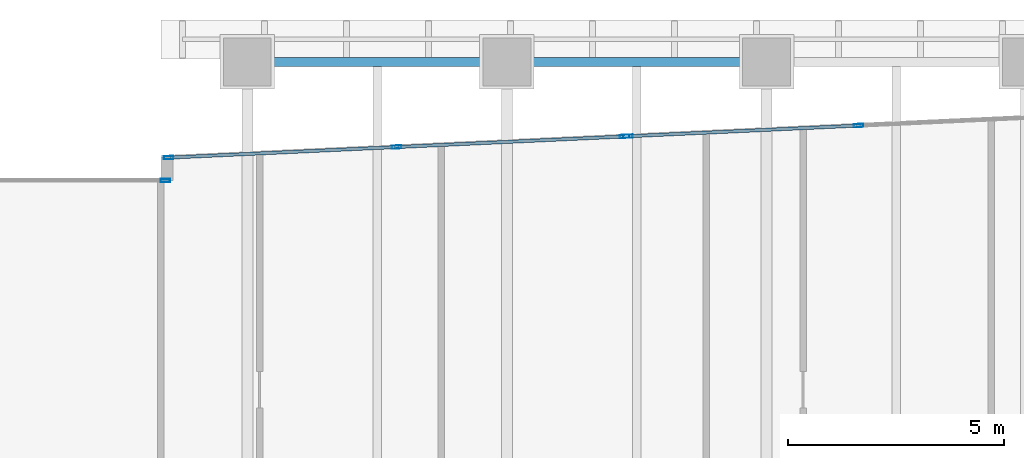
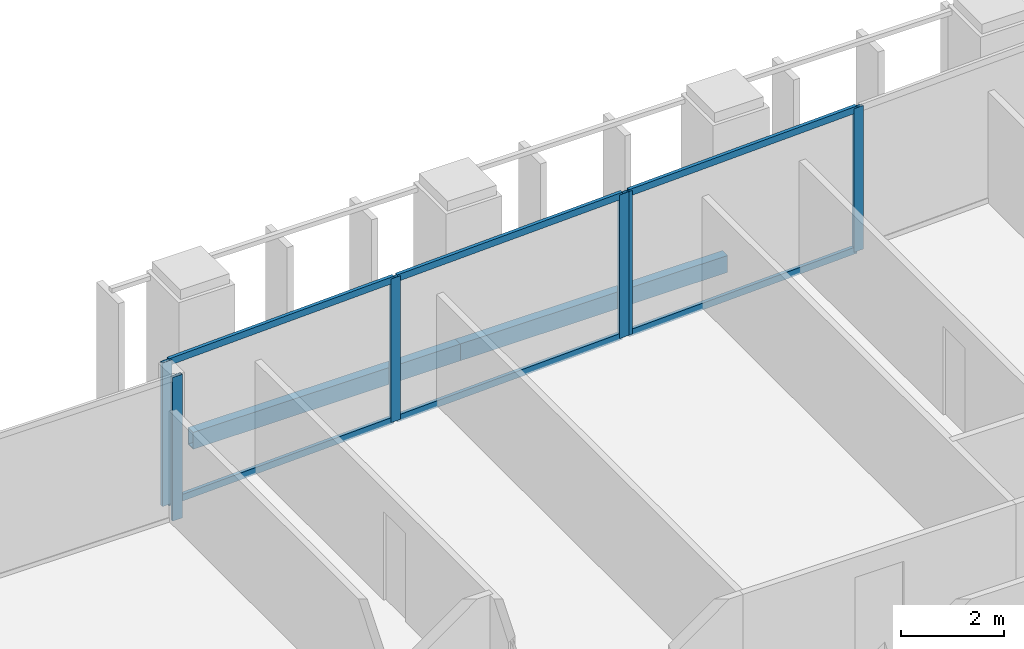
# One storey, part 12 of 32: 12 members, 2 beams, 3 elements without a shape of their own.
"""IFC4 building model written with IfcOpenShell, lengths in metres."""

from ifc_helpers import new_model, si_unit, direction, frame, origin, origin_2d, place, context, subcontext, project, spatial, hollow_rectangle, extrude, material, layer, layer_set, material_profile, profile_set, type_object, element, aggregate, save


model = new_model("IFC4")

# Units and contexts
model_context = context("Model", 3, precision=1e-05, world=origin(), true_north=direction((0.0, 1.0)))
body_context = subcontext(model_context, "Body", "Model", "MODEL_VIEW")
ifc_project = project(units=[si_unit("LENGTHUNIT", "METRE"), si_unit("AREAUNIT", "SQUARE_METRE"), si_unit("VOLUMEUNIT", "CUBIC_METRE"), si_unit("PLANEANGLEUNIT", "RADIAN"), si_unit("MASSUNIT", "GRAM", prefix="KILO")], contexts=[model_context])

# Site, building, storey
site_placement = place(None, origin())
site = spatial("IfcSite", under=ifc_project, at=site_placement, CompositionType="ELEMENT")
building_placement = place(site_placement, origin())
building = spatial("IfcBuilding", under=site, at=building_placement, Name="Tanjung Sevakor Pilgrim Tower", CompositionType="ELEMENT")
storey_placement = place(building_placement, frame((0.0, 0.0, 62.3701171875)))
storey = spatial("IfcBuildingStorey", under=building, at=storey_placement, Name="L17", CompositionType="ELEMENT", Elevation=62.3701171875)

# Beams
ifc_material_1 = material(Name="Steel S355J2", Category="steel")
ifc_material_profile_1 = material_profile(ifc_material_1, hollow_rectangle(XDim=0.199951171875, YDim=0.39990234375, WallThickness=0.01611328125, at=origin_2d()))
ifc_profile_set_1 = profile_set([ifc_material_profile_1], Name="Steel S355J2")
beam_type = type_object("IfcBeamType", Name="BM-B-SP2-RHS_400x200x16", PredefinedType="SPANDREL", material=ifc_profile_set_1)
for number, where, z_axis, x_axis, name in (
    (1, (54.0, 58.800048828125, -0.420166015625), (1.0, 0.0, 0.0), (0.0, 1.0, 0.0), "L17 Spandrel MAIN N-08"),
    (2, (60.0, 58.800048828125, -0.420166015625), (1.0, 0.0, 0.0), (0.0, 1.0, 0.0), "L17 Spandrel MAIN N-10"),
):
    element("IfcBeam", number, at=place(storey_placement, frame(where, z_axis=z_axis, x_axis=x_axis)), inside=storey, type_object=beam_type, Name=name, PredefinedType="SPANDREL", context=body_context, shape_type="SweptSolid", body=[
        extrude(hollow_rectangle(XDim=0.199951171875, YDim=0.39990234375, WallThickness=0.01611328125, at=origin_2d()), origin(), (0.0, 0.0, 1.0), 6.0),
    ])

# Curtain wall, members
ifc_material_2 = material(Name="Aluminium 6063-T6 and Low-E Glass", Category="aluminium")
ifc_layer_1 = layer(ifc_material_2, 0.199951171875)
ifc_layer_set_1 = layer_set([ifc_layer_1], Name="CW-SYS-PRAY")
curtain_wall_type_1 = type_object("IfcCurtainWallType", Name="CW-SYS-PRAY", PredefinedType="NOTDEFINED", material=ifc_layer_set_1)
curtain_wall_1_placement = place(storey_placement, origin())
curtain_wall_1 = element("IfcCurtainWall", 3, at=curtain_wall_1_placement, inside=storey, type_object=curtain_wall_type_1, Name="L17 Curtain Wall CW-PRY-L17-22", PredefinedType="NOTDEFINED")
ifc_material_3 = material(Name="Aluminium 6063-T6", Category="aluminium")
ifc_material_profile_2 = material_profile(ifc_material_3, hollow_rectangle(XDim=0.074951171875, YDim=0.219970703125, WallThickness=0.0048828125, at=origin_2d()))
ifc_profile_set_2 = profile_set([ifc_material_profile_2], Name="Aluminium 6063-T6")
member_type_1 = type_object("IfcMemberType", Name="TYPE-CWM-2", PredefinedType="MULLION", material=ifc_profile_set_2)
member_1_placement = place(storey_placement, frame((68.128173828125, 57.330078125, 0.0), z_axis=(0.0, 0.0, 1.0), x_axis=(0.046452337274, -0.998920507529, 0.0)))
member_1 = element("IfcMember", 4, at=member_1_placement, type_object=member_type_1, Name="CW-PRY mullion 2", PredefinedType="MULLION", context=body_context, shape_type="SweptSolid", body=[
    extrude(hollow_rectangle(XDim=0.074951171875, YDim=0.219970703125, WallThickness=0.0048828125, at=origin_2d()), origin(), (0.0, 0.0, 1.0), 3.409912109375),
])
member_2_placement = place(storey_placement, frame((62.7939453125, 57.08203125, 0.0), z_axis=(0.0, 0.0, 1.0), x_axis=(0.046452337274, -0.998920507529, 0.0)))
member_2 = element("IfcMember", 5, at=member_2_placement, type_object=member_type_1, Name="CW-PRY mullion 3", PredefinedType="MULLION", context=body_context, shape_type="SweptSolid", body=[
    extrude(hollow_rectangle(XDim=0.074951171875, YDim=0.219970703125, WallThickness=0.0048828125, at=origin_2d()), origin(), (0.0, 0.0, 1.0), 3.409912109375),
])

curtain_wall_2_placement = place(storey_placement, origin())
curtain_wall_2 = element("IfcCurtainWall", 6, at=curtain_wall_2_placement, inside=storey, type_object=curtain_wall_type_1, Name="L17 Curtain Wall CW-PRY-L17-23", PredefinedType="NOTDEFINED")
member_3_placement = place(storey_placement, frame((62.718994140625, 57.078369140625, 0.0), z_axis=(0.0, 0.0, 1.0), x_axis=(0.04646227273, -0.998920045455, 0.0)))
member_3 = element("IfcMember", 7, at=member_3_placement, type_object=member_type_1, Name="CW-PRY mullion 1", PredefinedType="MULLION", context=body_context, shape_type="SweptSolid", body=[
    extrude(hollow_rectangle(XDim=0.074951171875, YDim=0.219970703125, WallThickness=0.0048828125, at=origin_2d()), origin(), (0.0, 0.0, 1.0), 3.409912109375),
])
member_4_placement = place(storey_placement, frame((57.4482421875, 56.833251953125, 0.0), z_axis=(0.0, 0.0, 1.0), x_axis=(0.04646227273, -0.998920045455, 0.0)))
member_4 = element("IfcMember", 8, at=member_4_placement, type_object=member_type_1, Name="CW-PRY mullion 2", PredefinedType="MULLION", context=body_context, shape_type="SweptSolid", body=[
    extrude(hollow_rectangle(XDim=0.074951171875, YDim=0.219970703125, WallThickness=0.0048828125, at=origin_2d()), origin(), (0.0, 0.0, 1.0), 3.409912109375),
])
member_5_placement = place(storey_placement, frame((52.177490234375, 56.588134765625, 0.0), z_axis=(0.0, 0.0, 1.0), x_axis=(0.04646227273, -0.998920045455, 0.0)))
member_5 = element("IfcMember", 9, at=member_5_placement, type_object=member_type_1, Name="CW-PRY mullion 3", PredefinedType="MULLION", context=body_context, shape_type="SweptSolid", body=[
    extrude(hollow_rectangle(XDim=0.074951171875, YDim=0.219970703125, WallThickness=0.0048828125, at=origin_2d()), origin(), (0.0, 0.0, 1.0), 3.409912109375),
])

# Curtain wall, member
ifc_material_4 = material(Name="Aluminium 6063-T6 and Low-E Glass", Category="aluminium")
ifc_layer_2 = layer(ifc_material_4, 0.179931640625)
ifc_layer_set_2 = layer_set([ifc_layer_2], Name="CW-SYS-CLEFT")
curtain_wall_type_2 = type_object("IfcCurtainWallType", Name="CW-SYS-CLEFT", PredefinedType="NOTDEFINED", material=ifc_layer_set_2)
curtain_wall_3_placement = place(storey_placement, origin())
curtain_wall_3 = element("IfcCurtainWall", 10, at=curtain_wall_3_placement, inside=storey, type_object=curtain_wall_type_2, Name="L17 Curtain Wall CW-CLF-L17-25", PredefinedType="NOTDEFINED")
member_6_placement = place(storey_placement, frame((52.1025390625, 56.06005859375, 0.0), z_axis=(0.0, 0.0, 1.0), x_axis=(0.0, -1.0, 0.0)))
member_6 = element("IfcMember", 11, at=member_6_placement, type_object=member_type_1, Name="CW-CLF mullion 1", PredefinedType="MULLION", context=body_context, shape_type="SweptSolid", body=[
    extrude(hollow_rectangle(XDim=0.074951171875, YDim=0.219970703125, WallThickness=0.0048828125, at=origin_2d()), origin(), (0.0, 0.0, 1.0), 3.409912109375),
])
aggregate(curtain_wall_3, [member_6])

# Member
ifc_material_5 = material(Name="Aluminium 6063-T6", Category="aluminium")
ifc_material_profile_3 = material_profile(ifc_material_5, hollow_rectangle(XDim=0.074951171875, YDim=0.159912109375, WallThickness=0.00439453125, at=origin_2d()))
ifc_profile_set_3 = profile_set([ifc_material_profile_3], Name="Aluminium 6063-T6")
member_type_2 = type_object("IfcMemberType", Name="TYPE-CWT-2", PredefinedType="USERDEFINED", material=ifc_profile_set_3)
member_7_placement = place(storey_placement, frame((68.0908203125, 57.328369140625, 0.037353515625), z_axis=(-0.998920086078, -0.046461399352, 0.0), x_axis=(0.046461399352, -0.998920086078, 0.0)))
member_7 = element("IfcMember", 12, at=member_7_placement, type_object=member_type_2, Name="CW-PRY transom 2.1", ObjectType="TRANSOM", PredefinedType="USERDEFINED", context=body_context, shape_type="SweptSolid", body=[
    extrude(hollow_rectangle(XDim=0.074951171875, YDim=0.159912109375, WallThickness=0.00439453125, at=origin_2d()), origin(), (0.0, 0.0, 1.0), 5.26513671875),
])

member_8_placement = place(storey_placement, frame((68.0908203125, 57.328369140625, 3.372314453125), z_axis=(-0.998920086078, -0.046461399352, 0.0), x_axis=(0.046461399352, -0.998920086078, 0.0)))
member_8 = element("IfcMember", 13, at=member_8_placement, type_object=member_type_2, Name="CW-PRY transom 2.2", ObjectType="TRANSOM", PredefinedType="USERDEFINED", context=body_context, shape_type="SweptSolid", body=[
    extrude(hollow_rectangle(XDim=0.074951171875, YDim=0.159912109375, WallThickness=0.00439453125, at=origin_2d()), origin(), (0.0, 0.0, 1.0), 5.26513671875),
])

aggregate(curtain_wall_1, [member_1, member_2, member_7, member_8])

member_9_placement = place(storey_placement, frame((62.681640625, 57.07666015625, 0.037353515625), z_axis=(-0.998919883435, -0.046465755984, 0.0), x_axis=(0.046465755984, -0.998919883435, 0.0)))
member_9 = element("IfcMember", 14, at=member_9_placement, type_object=member_type_2, Name="CW-PRY transom 1.1", ObjectType="TRANSOM", PredefinedType="USERDEFINED", context=body_context, shape_type="SweptSolid", body=[
    extrude(hollow_rectangle(XDim=0.074951171875, YDim=0.159912109375, WallThickness=0.00439453125, at=origin_2d()), origin(), (0.0, 0.0, 1.0), 5.20166015625),
])

member_10_placement = place(storey_placement, frame((62.681640625, 57.07666015625, 3.372314453125), z_axis=(-0.998919883435, -0.046465755984, 0.0), x_axis=(0.046465755984, -0.998919883435, 0.0)))
member_10 = element("IfcMember", 15, at=member_10_placement, type_object=member_type_2, Name="CW-PRY transom 1.2", ObjectType="TRANSOM", PredefinedType="USERDEFINED", context=body_context, shape_type="SweptSolid", body=[
    extrude(hollow_rectangle(XDim=0.074951171875, YDim=0.159912109375, WallThickness=0.00439453125, at=origin_2d()), origin(), (0.0, 0.0, 1.0), 5.20166015625),
])

member_11_placement = place(storey_placement, frame((57.410888671875, 56.83154296875, 0.037353515625), z_axis=(-0.998919883435, -0.046465755984, 0.0), x_axis=(0.046465755984, -0.998919883435, 0.0)))
member_11 = element("IfcMember", 16, at=member_11_placement, type_object=member_type_2, Name="CW-PRY transom 2.1", ObjectType="TRANSOM", PredefinedType="USERDEFINED", context=body_context, shape_type="SweptSolid", body=[
    extrude(hollow_rectangle(XDim=0.074951171875, YDim=0.159912109375, WallThickness=0.00439453125, at=origin_2d()), origin(), (0.0, 0.0, 1.0), 5.20166015625),
])

member_12_placement = place(storey_placement, frame((57.410888671875, 56.83154296875, 3.372314453125), z_axis=(-0.998919883435, -0.046465755984, 0.0), x_axis=(0.046465755984, -0.998919883435, 0.0)))
member_12 = element("IfcMember", 17, at=member_12_placement, type_object=member_type_2, Name="CW-PRY transom 2.2", ObjectType="TRANSOM", PredefinedType="USERDEFINED", context=body_context, shape_type="SweptSolid", body=[
    extrude(hollow_rectangle(XDim=0.074951171875, YDim=0.159912109375, WallThickness=0.00439453125, at=origin_2d()), origin(), (0.0, 0.0, 1.0), 5.20166015625),
])

aggregate(curtain_wall_2, [member_3, member_4, member_5, member_9, member_10, member_11, member_12])

save(model, "model.ifc")
